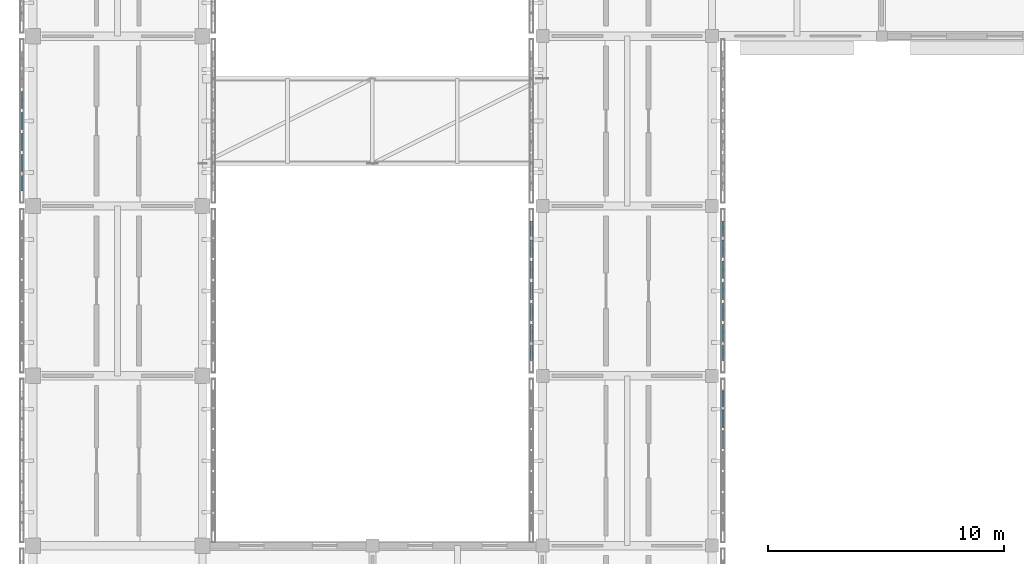
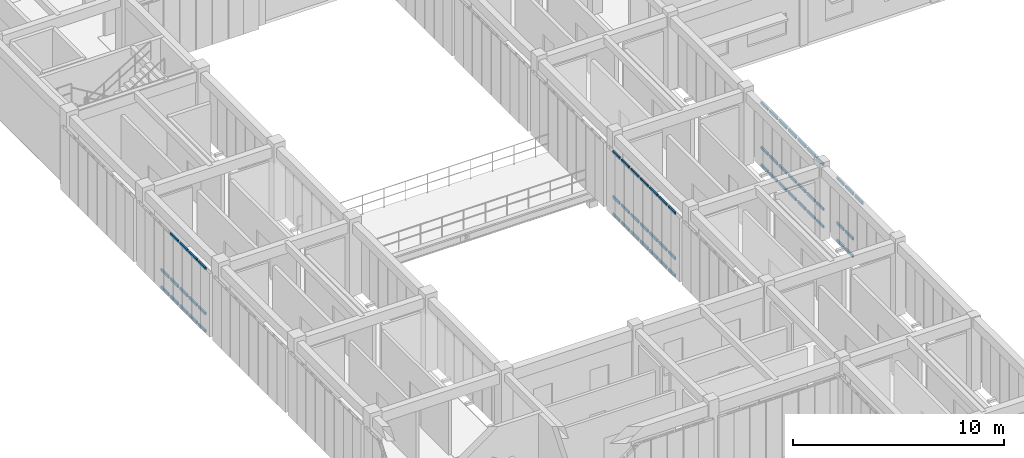
# One storey, part 27 of 91: 63 members, 4 elements without a shape of their own.
"""IFC4 building model written with IfcOpenShell, lengths in metres."""

from ifc_helpers import new_model, si_unit, direction, frame, origin, origin_2d, place, context, subcontext, project, spatial, hollow_rectangle, extrude, material, material_profile, profile_set, type_object, element, aggregate, save


model = new_model("IFC4")

# Units and contexts
model_context = context("Model", 3, precision=1e-05, world=origin(), true_north=direction((0.0, 1.0)))
body_context = subcontext(model_context, "Body", "Model", "MODEL_VIEW")
ifc_project = project(units=[si_unit("LENGTHUNIT", "METRE"), si_unit("AREAUNIT", "SQUARE_METRE"), si_unit("VOLUMEUNIT", "CUBIC_METRE"), si_unit("PLANEANGLEUNIT", "RADIAN"), si_unit("MASSUNIT", "GRAM", prefix="KILO")], contexts=[model_context])

# Site, building, storey
site_placement = place(None, origin())
site = spatial("IfcSite", under=ifc_project, at=site_placement, CompositionType="ELEMENT")
building_placement = place(site_placement, origin())
building = spatial("IfcBuilding", under=site, at=building_placement, Name="Aldebral Square Health Centre", CompositionType="ELEMENT")
storey_placement = place(building_placement, frame((0.0, 0.0, 9.0)))
storey = spatial("IfcBuildingStorey", under=building, at=storey_placement, Name="L02", CompositionType="ELEMENT", Elevation=9.0)

# Curtain wall, members
ifc_material_1 = material(Name="Aluminium and low-E solar glass", Category="aluminium")
curtain_wall_type = type_object("IfcCurtainWallType", Name="CW-FIN-SYS", PredefinedType="USERDEFINED", material=ifc_material_1)
curtain_wall_1_placement = place(storey_placement, origin())
curtain_wall_1 = element("IfcCurtainWall", 1, at=curtain_wall_1_placement, inside=storey, type_object=curtain_wall_type, Name="L02 V4 finned curtain wall L02-V4-00-11-W", ObjectType="SOLAR_CURTAIN_WALL", PredefinedType="USERDEFINED")
ifc_material_2 = material(Name="Anodised aluminium transom", Category="aluminium")
ifc_material_profile = material_profile(ifc_material_2, hollow_rectangle(XDim=0.074951171875, YDim=0.14990234375, WallThickness=0.00390625, at=origin_2d()), Name="CWT 75x150x4")
ifc_profile_set = profile_set([ifc_material_profile], Name="Anodised aluminium transom")
member_type = type_object("IfcMemberType", Name="CWT-STD", PredefinedType="USERDEFINED", material=ifc_profile_set)
member_1_placement = place(storey_placement, frame((-0.4599609375, 84.05712890625, 0.03759765625), z_axis=(0.0, -1.0, 0.0), x_axis=(1.0, 0.0, 0.0)))
member_1 = element("IfcMember", 2, at=member_1_placement, type_object=member_type, Name="CW1 transom 3.1", ObjectType="TRANSOM", PredefinedType="USERDEFINED", context=body_context, shape_type="SweptSolid", body=[
    extrude(hollow_rectangle(XDim=0.074951171875, YDim=0.14990234375, WallThickness=0.00390625, at=origin_2d()), origin(), (0.0, 0.0, 1.0), 0.7314453125),
])
member_2_placement = place(storey_placement, frame((-0.4599609375, 84.05712890625, 1.050048828125), z_axis=(0.0, -1.0, 0.0), x_axis=(1.0, 0.0, 0.0)))
member_2 = element("IfcMember", 3, at=member_2_placement, type_object=member_type, Name="CW1 transom 3.2", ObjectType="TRANSOM", PredefinedType="USERDEFINED", context=body_context, shape_type="SweptSolid", body=[
    extrude(hollow_rectangle(XDim=0.074951171875, YDim=0.14990234375, WallThickness=0.00390625, at=origin_2d()), origin(), (0.0, 0.0, 1.0), 0.7314453125),
])
member_3_placement = place(storey_placement, frame((-0.4599609375, 83.165771484375, 0.03759765625), z_axis=(0.0, -1.0, 0.0), x_axis=(1.0, 0.0, 0.0)))
member_3 = element("IfcMember", 4, at=member_3_placement, type_object=member_type, Name="CW1 transom 4.1", ObjectType="TRANSOM", PredefinedType="USERDEFINED", context=body_context, shape_type="SweptSolid", body=[
    extrude(hollow_rectangle(XDim=0.074951171875, YDim=0.14990234375, WallThickness=0.00390625, at=origin_2d()), origin(), (0.0, 0.0, 1.0), 0.7314453125),
])
member_4_placement = place(storey_placement, frame((-0.4599609375, 83.165771484375, 1.050048828125), z_axis=(0.0, -1.0, 0.0), x_axis=(1.0, 0.0, 0.0)))
member_4 = element("IfcMember", 5, at=member_4_placement, type_object=member_type, Name="CW1 transom 4.2", ObjectType="TRANSOM", PredefinedType="USERDEFINED", context=body_context, shape_type="SweptSolid", body=[
    extrude(hollow_rectangle(XDim=0.074951171875, YDim=0.14990234375, WallThickness=0.00390625, at=origin_2d()), origin(), (0.0, 0.0, 1.0), 0.7314453125),
])
member_5_placement = place(storey_placement, frame((-0.4599609375, 83.165771484375, 3.652587890625), z_axis=(0.0, -1.0, 0.0), x_axis=(1.0, 0.0, 0.0)))
member_5 = element("IfcMember", 6, at=member_5_placement, type_object=member_type, Name="CW1 transom 4.3", ObjectType="TRANSOM", PredefinedType="USERDEFINED", context=body_context, shape_type="SweptSolid", body=[
    extrude(hollow_rectangle(XDim=0.074951171875, YDim=0.14990234375, WallThickness=0.00390625, at=origin_2d()), origin(), (0.0, 0.0, 1.0), 0.7314453125),
])
member_6_placement = place(storey_placement, frame((-0.4599609375, 82.274169921875, 0.03759765625), z_axis=(0.0, -1.0, 0.0), x_axis=(1.0, 0.0, 0.0)))
member_6 = element("IfcMember", 7, at=member_6_placement, type_object=member_type, Name="CW1 transom 5.1", ObjectType="TRANSOM", PredefinedType="USERDEFINED", context=body_context, shape_type="SweptSolid", body=[
    extrude(hollow_rectangle(XDim=0.074951171875, YDim=0.14990234375, WallThickness=0.00390625, at=origin_2d()), origin(), (0.0, 0.0, 1.0), 0.731201171875),
])
member_7_placement = place(storey_placement, frame((-0.4599609375, 82.274169921875, 1.050048828125), z_axis=(0.0, -1.0, 0.0), x_axis=(1.0, 0.0, 0.0)))
member_7 = element("IfcMember", 8, at=member_7_placement, type_object=member_type, Name="CW1 transom 5.2", ObjectType="TRANSOM", PredefinedType="USERDEFINED", context=body_context, shape_type="SweptSolid", body=[
    extrude(hollow_rectangle(XDim=0.074951171875, YDim=0.14990234375, WallThickness=0.00390625, at=origin_2d()), origin(), (0.0, 0.0, 1.0), 0.731201171875),
])
member_8_placement = place(storey_placement, frame((-0.4599609375, 82.274169921875, 3.652587890625), z_axis=(0.0, -1.0, 0.0), x_axis=(1.0, 0.0, 0.0)))
member_8 = element("IfcMember", 9, at=member_8_placement, type_object=member_type, Name="CW1 transom 5.3", ObjectType="TRANSOM", PredefinedType="USERDEFINED", context=body_context, shape_type="SweptSolid", body=[
    extrude(hollow_rectangle(XDim=0.074951171875, YDim=0.14990234375, WallThickness=0.00390625, at=origin_2d()), origin(), (0.0, 0.0, 1.0), 0.731201171875),
])
member_9_placement = place(storey_placement, frame((-0.4599609375, 81.3828125, 0.03759765625), z_axis=(0.0, -1.0, 0.0), x_axis=(1.0, 0.0, 0.0)))
member_9 = element("IfcMember", 10, at=member_9_placement, type_object=member_type, Name="CW1 transom 6.1", ObjectType="TRANSOM", PredefinedType="USERDEFINED", context=body_context, shape_type="SweptSolid", body=[
    extrude(hollow_rectangle(XDim=0.074951171875, YDim=0.14990234375, WallThickness=0.00390625, at=origin_2d()), origin(), (0.0, 0.0, 1.0), 0.7314453125),
])
member_10_placement = place(storey_placement, frame((-0.4599609375, 81.3828125, 1.050048828125), z_axis=(0.0, -1.0, 0.0), x_axis=(1.0, 0.0, 0.0)))
member_10 = element("IfcMember", 11, at=member_10_placement, type_object=member_type, Name="CW1 transom 6.2", ObjectType="TRANSOM", PredefinedType="USERDEFINED", context=body_context, shape_type="SweptSolid", body=[
    extrude(hollow_rectangle(XDim=0.074951171875, YDim=0.14990234375, WallThickness=0.00390625, at=origin_2d()), origin(), (0.0, 0.0, 1.0), 0.7314453125),
])
member_11_placement = place(storey_placement, frame((-0.4599609375, 81.3828125, 3.652587890625), z_axis=(0.0, -1.0, 0.0), x_axis=(1.0, 0.0, 0.0)))
member_11 = element("IfcMember", 12, at=member_11_placement, type_object=member_type, Name="CW1 transom 6.3", ObjectType="TRANSOM", PredefinedType="USERDEFINED", context=body_context, shape_type="SweptSolid", body=[
    extrude(hollow_rectangle(XDim=0.074951171875, YDim=0.14990234375, WallThickness=0.00390625, at=origin_2d()), origin(), (0.0, 0.0, 1.0), 0.7314453125),
])
member_12_placement = place(storey_placement, frame((-0.4599609375, 80.491455078125, 0.03759765625), z_axis=(0.0, -1.0, 0.0), x_axis=(1.0, 0.0, 0.0)))
member_12 = element("IfcMember", 13, at=member_12_placement, type_object=member_type, Name="CW1 transom 7.1", ObjectType="TRANSOM", PredefinedType="USERDEFINED", context=body_context, shape_type="SweptSolid", body=[
    extrude(hollow_rectangle(XDim=0.074951171875, YDim=0.14990234375, WallThickness=0.00390625, at=origin_2d()), origin(), (0.0, 0.0, 1.0), 0.6513671875),
])
member_13_placement = place(storey_placement, frame((-0.4599609375, 80.491455078125, 1.050048828125), z_axis=(0.0, -1.0, 0.0), x_axis=(1.0, 0.0, 0.0)))
member_13 = element("IfcMember", 14, at=member_13_placement, type_object=member_type, Name="CW1 transom 7.2", ObjectType="TRANSOM", PredefinedType="USERDEFINED", context=body_context, shape_type="SweptSolid", body=[
    extrude(hollow_rectangle(XDim=0.074951171875, YDim=0.14990234375, WallThickness=0.00390625, at=origin_2d()), origin(), (0.0, 0.0, 1.0), 0.6513671875),
])
member_14_placement = place(storey_placement, frame((-0.4599609375, 80.491455078125, 3.652587890625), z_axis=(0.0, -1.0, 0.0), x_axis=(1.0, 0.0, 0.0)))
member_14 = element("IfcMember", 15, at=member_14_placement, type_object=member_type, Name="CW1 transom 7.3", ObjectType="TRANSOM", PredefinedType="USERDEFINED", context=body_context, shape_type="SweptSolid", body=[
    extrude(hollow_rectangle(XDim=0.074951171875, YDim=0.14990234375, WallThickness=0.00390625, at=origin_2d()), origin(), (0.0, 0.0, 1.0), 0.6513671875),
])
aggregate(curtain_wall_1, [member_1, member_2, member_3, member_4, member_5, member_6, member_7, member_8, member_9, member_10, member_11, member_12, member_13, member_14])

curtain_wall_2_placement = place(storey_placement, origin())
curtain_wall_2 = element("IfcCurtainWall", 16, at=curtain_wall_2_placement, inside=storey, type_object=curtain_wall_type, Name="L02 V4 finned curtain wall L02-V4-03-09-E", ObjectType="SOLAR_CURTAIN_WALL", PredefinedType="USERDEFINED")
member_15_placement = place(storey_placement, frame((29.260009765625, 68.92578125, 3.652587890625), z_axis=(0.0, 1.0, 0.0), x_axis=(-1.0, 0.0, 0.0)))
member_15 = element("IfcMember", 17, at=member_15_placement, type_object=member_type, Name="CW1 transom 5.3", ObjectType="TRANSOM", PredefinedType="USERDEFINED", context=body_context, shape_type="SweptSolid", body=[
    extrude(hollow_rectangle(XDim=0.074951171875, YDim=0.14990234375, WallThickness=0.00390625, at=origin_2d()), origin(), (0.0, 0.0, 1.0), 0.7314453125),
])
member_16_placement = place(storey_placement, frame((29.260009765625, 69.817138671875, 0.03759765625), z_axis=(0.0, 1.0, 0.0), x_axis=(-1.0, 0.0, 0.0)))
member_16 = element("IfcMember", 18, at=member_16_placement, type_object=member_type, Name="CW1 transom 6.1", ObjectType="TRANSOM", PredefinedType="USERDEFINED", context=body_context, shape_type="SweptSolid", body=[
    extrude(hollow_rectangle(XDim=0.074951171875, YDim=0.14990234375, WallThickness=0.00390625, at=origin_2d()), origin(), (0.0, 0.0, 1.0), 0.7314453125),
])
member_17_placement = place(storey_placement, frame((29.260009765625, 69.817138671875, 1.050048828125), z_axis=(0.0, 1.0, 0.0), x_axis=(-1.0, 0.0, 0.0)))
member_17 = element("IfcMember", 19, at=member_17_placement, type_object=member_type, Name="CW1 transom 6.2", ObjectType="TRANSOM", PredefinedType="USERDEFINED", context=body_context, shape_type="SweptSolid", body=[
    extrude(hollow_rectangle(XDim=0.074951171875, YDim=0.14990234375, WallThickness=0.00390625, at=origin_2d()), origin(), (0.0, 0.0, 1.0), 0.7314453125),
])
member_18_placement = place(storey_placement, frame((29.260009765625, 69.817138671875, 3.652587890625), z_axis=(0.0, 1.0, 0.0), x_axis=(-1.0, 0.0, 0.0)))
member_18 = element("IfcMember", 20, at=member_18_placement, type_object=member_type, Name="CW1 transom 6.3", ObjectType="TRANSOM", PredefinedType="USERDEFINED", context=body_context, shape_type="SweptSolid", body=[
    extrude(hollow_rectangle(XDim=0.074951171875, YDim=0.14990234375, WallThickness=0.00390625, at=origin_2d()), origin(), (0.0, 0.0, 1.0), 0.7314453125),
])
member_19_placement = place(storey_placement, frame((29.260009765625, 70.70849609375, 0.03759765625), z_axis=(0.0, 1.0, 0.0), x_axis=(-1.0, 0.0, 0.0)))
member_19 = element("IfcMember", 21, at=member_19_placement, type_object=member_type, Name="CW1 transom 7.1", ObjectType="TRANSOM", PredefinedType="USERDEFINED", context=body_context, shape_type="SweptSolid", body=[
    extrude(hollow_rectangle(XDim=0.074951171875, YDim=0.14990234375, WallThickness=0.00390625, at=origin_2d()), origin(), (0.0, 0.0, 1.0), 0.651611328125),
])
member_20_placement = place(storey_placement, frame((29.260009765625, 70.70849609375, 1.050048828125), z_axis=(0.0, 1.0, 0.0), x_axis=(-1.0, 0.0, 0.0)))
member_20 = element("IfcMember", 22, at=member_20_placement, type_object=member_type, Name="CW1 transom 7.2", ObjectType="TRANSOM", PredefinedType="USERDEFINED", context=body_context, shape_type="SweptSolid", body=[
    extrude(hollow_rectangle(XDim=0.074951171875, YDim=0.14990234375, WallThickness=0.00390625, at=origin_2d()), origin(), (0.0, 0.0, 1.0), 0.651611328125),
])
member_21_placement = place(storey_placement, frame((29.260009765625, 70.70849609375, 3.652587890625), z_axis=(0.0, 1.0, 0.0), x_axis=(-1.0, 0.0, 0.0)))
member_21 = element("IfcMember", 23, at=member_21_placement, type_object=member_type, Name="CW1 transom 7.3", ObjectType="TRANSOM", PredefinedType="USERDEFINED", context=body_context, shape_type="SweptSolid", body=[
    extrude(hollow_rectangle(XDim=0.074951171875, YDim=0.14990234375, WallThickness=0.00390625, at=origin_2d()), origin(), (0.0, 0.0, 1.0), 0.651611328125),
])
aggregate(curtain_wall_2, [member_15, member_16, member_17, member_18, member_19, member_20, member_21])

curtain_wall_3_placement = place(storey_placement, origin())
curtain_wall_3 = element("IfcCurtainWall", 24, at=curtain_wall_3_placement, inside=storey, type_object=curtain_wall_type, Name="L02 V4 finned curtain wall L02-V4-03-10-W", ObjectType="SOLAR_CURTAIN_WALL", PredefinedType="USERDEFINED")
member_22_placement = place(storey_placement, frame((21.139892578125, 78.56005859375, 0.03759765625), z_axis=(0.0, -1.0, 0.0), x_axis=(1.0, 0.0, 0.0)))
member_22 = element("IfcMember", 25, at=member_22_placement, type_object=member_type, Name="CW1 transom 1.1", ObjectType="TRANSOM", PredefinedType="USERDEFINED", context=body_context, shape_type="SweptSolid", body=[
    extrude(hollow_rectangle(XDim=0.074951171875, YDim=0.14990234375, WallThickness=0.00390625, at=origin_2d()), origin(), (0.0, 0.0, 1.0), 0.6513671875),
])
member_23_placement = place(storey_placement, frame((21.139892578125, 78.56005859375, 1.050048828125), z_axis=(0.0, -1.0, 0.0), x_axis=(1.0, 0.0, 0.0)))
member_23 = element("IfcMember", 26, at=member_23_placement, type_object=member_type, Name="CW1 transom 1.2", ObjectType="TRANSOM", PredefinedType="USERDEFINED", context=body_context, shape_type="SweptSolid", body=[
    extrude(hollow_rectangle(XDim=0.074951171875, YDim=0.14990234375, WallThickness=0.00390625, at=origin_2d()), origin(), (0.0, 0.0, 1.0), 0.6513671875),
])
member_24_placement = place(storey_placement, frame((21.139892578125, 78.56005859375, 3.652587890625), z_axis=(0.0, -1.0, 0.0), x_axis=(1.0, 0.0, 0.0)))
member_24 = element("IfcMember", 27, at=member_24_placement, type_object=member_type, Name="CW1 transom 1.3", ObjectType="TRANSOM", PredefinedType="USERDEFINED", context=body_context, shape_type="SweptSolid", body=[
    extrude(hollow_rectangle(XDim=0.074951171875, YDim=0.14990234375, WallThickness=0.00390625, at=origin_2d()), origin(), (0.0, 0.0, 1.0), 0.6513671875),
])
member_25_placement = place(storey_placement, frame((21.139892578125, 77.74853515625, 0.03759765625), z_axis=(0.0, -1.0, 0.0), x_axis=(1.0, 0.0, 0.0)))
member_25 = element("IfcMember", 28, at=member_25_placement, type_object=member_type, Name="CW1 transom 2.1", ObjectType="TRANSOM", PredefinedType="USERDEFINED", context=body_context, shape_type="SweptSolid", body=[
    extrude(hollow_rectangle(XDim=0.074951171875, YDim=0.14990234375, WallThickness=0.00390625, at=origin_2d()), origin(), (0.0, 0.0, 1.0), 0.7314453125),
])
member_26_placement = place(storey_placement, frame((21.139892578125, 77.74853515625, 1.050048828125), z_axis=(0.0, -1.0, 0.0), x_axis=(1.0, 0.0, 0.0)))
member_26 = element("IfcMember", 29, at=member_26_placement, type_object=member_type, Name="CW1 transom 2.2", ObjectType="TRANSOM", PredefinedType="USERDEFINED", context=body_context, shape_type="SweptSolid", body=[
    extrude(hollow_rectangle(XDim=0.074951171875, YDim=0.14990234375, WallThickness=0.00390625, at=origin_2d()), origin(), (0.0, 0.0, 1.0), 0.7314453125),
])
member_27_placement = place(storey_placement, frame((21.139892578125, 77.74853515625, 3.652587890625), z_axis=(0.0, -1.0, 0.0), x_axis=(1.0, 0.0, 0.0)))
member_27 = element("IfcMember", 30, at=member_27_placement, type_object=member_type, Name="CW1 transom 2.3", ObjectType="TRANSOM", PredefinedType="USERDEFINED", context=body_context, shape_type="SweptSolid", body=[
    extrude(hollow_rectangle(XDim=0.074951171875, YDim=0.14990234375, WallThickness=0.00390625, at=origin_2d()), origin(), (0.0, 0.0, 1.0), 0.7314453125),
])
member_28_placement = place(storey_placement, frame((21.139892578125, 76.857177734375, 0.03759765625), z_axis=(0.0, -1.0, 0.0), x_axis=(1.0, 0.0, 0.0)))
member_28 = element("IfcMember", 31, at=member_28_placement, type_object=member_type, Name="CW1 transom 3.1", ObjectType="TRANSOM", PredefinedType="USERDEFINED", context=body_context, shape_type="SweptSolid", body=[
    extrude(hollow_rectangle(XDim=0.074951171875, YDim=0.14990234375, WallThickness=0.00390625, at=origin_2d()), origin(), (0.0, 0.0, 1.0), 0.7314453125),
])
member_29_placement = place(storey_placement, frame((21.139892578125, 76.857177734375, 1.050048828125), z_axis=(0.0, -1.0, 0.0), x_axis=(1.0, 0.0, 0.0)))
member_29 = element("IfcMember", 32, at=member_29_placement, type_object=member_type, Name="CW1 transom 3.2", ObjectType="TRANSOM", PredefinedType="USERDEFINED", context=body_context, shape_type="SweptSolid", body=[
    extrude(hollow_rectangle(XDim=0.074951171875, YDim=0.14990234375, WallThickness=0.00390625, at=origin_2d()), origin(), (0.0, 0.0, 1.0), 0.7314453125),
])
member_30_placement = place(storey_placement, frame((21.139892578125, 76.857177734375, 3.652587890625), z_axis=(0.0, -1.0, 0.0), x_axis=(1.0, 0.0, 0.0)))
member_30 = element("IfcMember", 33, at=member_30_placement, type_object=member_type, Name="CW1 transom 3.3", ObjectType="TRANSOM", PredefinedType="USERDEFINED", context=body_context, shape_type="SweptSolid", body=[
    extrude(hollow_rectangle(XDim=0.074951171875, YDim=0.14990234375, WallThickness=0.00390625, at=origin_2d()), origin(), (0.0, 0.0, 1.0), 0.7314453125),
])
member_31_placement = place(storey_placement, frame((21.139892578125, 75.9658203125, 0.03759765625), z_axis=(0.0, -1.0, 0.0), x_axis=(1.0, 0.0, 0.0)))
member_31 = element("IfcMember", 34, at=member_31_placement, type_object=member_type, Name="CW1 transom 4.1", ObjectType="TRANSOM", PredefinedType="USERDEFINED", context=body_context, shape_type="SweptSolid", body=[
    extrude(hollow_rectangle(XDim=0.074951171875, YDim=0.14990234375, WallThickness=0.00390625, at=origin_2d()), origin(), (0.0, 0.0, 1.0), 0.7314453125),
])
member_32_placement = place(storey_placement, frame((21.139892578125, 75.9658203125, 1.050048828125), z_axis=(0.0, -1.0, 0.0), x_axis=(1.0, 0.0, 0.0)))
member_32 = element("IfcMember", 35, at=member_32_placement, type_object=member_type, Name="CW1 transom 4.2", ObjectType="TRANSOM", PredefinedType="USERDEFINED", context=body_context, shape_type="SweptSolid", body=[
    extrude(hollow_rectangle(XDim=0.074951171875, YDim=0.14990234375, WallThickness=0.00390625, at=origin_2d()), origin(), (0.0, 0.0, 1.0), 0.7314453125),
])
member_33_placement = place(storey_placement, frame((21.139892578125, 75.9658203125, 3.652587890625), z_axis=(0.0, -1.0, 0.0), x_axis=(1.0, 0.0, 0.0)))
member_33 = element("IfcMember", 36, at=member_33_placement, type_object=member_type, Name="CW1 transom 4.3", ObjectType="TRANSOM", PredefinedType="USERDEFINED", context=body_context, shape_type="SweptSolid", body=[
    extrude(hollow_rectangle(XDim=0.074951171875, YDim=0.14990234375, WallThickness=0.00390625, at=origin_2d()), origin(), (0.0, 0.0, 1.0), 0.7314453125),
])
member_34_placement = place(storey_placement, frame((21.139892578125, 75.07421875, 0.03759765625), z_axis=(0.0, -1.0, 0.0), x_axis=(1.0, 0.0, 0.0)))
member_34 = element("IfcMember", 37, at=member_34_placement, type_object=member_type, Name="CW1 transom 5.1", ObjectType="TRANSOM", PredefinedType="USERDEFINED", context=body_context, shape_type="SweptSolid", body=[
    extrude(hollow_rectangle(XDim=0.074951171875, YDim=0.14990234375, WallThickness=0.00390625, at=origin_2d()), origin(), (0.0, 0.0, 1.0), 0.7314453125),
])
member_35_placement = place(storey_placement, frame((21.139892578125, 75.07421875, 1.050048828125), z_axis=(0.0, -1.0, 0.0), x_axis=(1.0, 0.0, 0.0)))
member_35 = element("IfcMember", 38, at=member_35_placement, type_object=member_type, Name="CW1 transom 5.2", ObjectType="TRANSOM", PredefinedType="USERDEFINED", context=body_context, shape_type="SweptSolid", body=[
    extrude(hollow_rectangle(XDim=0.074951171875, YDim=0.14990234375, WallThickness=0.00390625, at=origin_2d()), origin(), (0.0, 0.0, 1.0), 0.7314453125),
])
member_36_placement = place(storey_placement, frame((21.139892578125, 75.07421875, 3.652587890625), z_axis=(0.0, -1.0, 0.0), x_axis=(1.0, 0.0, 0.0)))
member_36 = element("IfcMember", 39, at=member_36_placement, type_object=member_type, Name="CW1 transom 5.3", ObjectType="TRANSOM", PredefinedType="USERDEFINED", context=body_context, shape_type="SweptSolid", body=[
    extrude(hollow_rectangle(XDim=0.074951171875, YDim=0.14990234375, WallThickness=0.00390625, at=origin_2d()), origin(), (0.0, 0.0, 1.0), 0.7314453125),
])
member_37_placement = place(storey_placement, frame((21.139892578125, 74.182861328125, 0.03759765625), z_axis=(0.0, -1.0, 0.0), x_axis=(1.0, 0.0, 0.0)))
member_37 = element("IfcMember", 40, at=member_37_placement, type_object=member_type, Name="CW1 transom 6.1", ObjectType="TRANSOM", PredefinedType="USERDEFINED", context=body_context, shape_type="SweptSolid", body=[
    extrude(hollow_rectangle(XDim=0.074951171875, YDim=0.14990234375, WallThickness=0.00390625, at=origin_2d()), origin(), (0.0, 0.0, 1.0), 0.7314453125),
])
member_38_placement = place(storey_placement, frame((21.139892578125, 74.182861328125, 1.050048828125), z_axis=(0.0, -1.0, 0.0), x_axis=(1.0, 0.0, 0.0)))
member_38 = element("IfcMember", 41, at=member_38_placement, type_object=member_type, Name="CW1 transom 6.2", ObjectType="TRANSOM", PredefinedType="USERDEFINED", context=body_context, shape_type="SweptSolid", body=[
    extrude(hollow_rectangle(XDim=0.074951171875, YDim=0.14990234375, WallThickness=0.00390625, at=origin_2d()), origin(), (0.0, 0.0, 1.0), 0.7314453125),
])
member_39_placement = place(storey_placement, frame((21.139892578125, 74.182861328125, 3.652587890625), z_axis=(0.0, -1.0, 0.0), x_axis=(1.0, 0.0, 0.0)))
member_39 = element("IfcMember", 42, at=member_39_placement, type_object=member_type, Name="CW1 transom 6.3", ObjectType="TRANSOM", PredefinedType="USERDEFINED", context=body_context, shape_type="SweptSolid", body=[
    extrude(hollow_rectangle(XDim=0.074951171875, YDim=0.14990234375, WallThickness=0.00390625, at=origin_2d()), origin(), (0.0, 0.0, 1.0), 0.7314453125),
])
member_40_placement = place(storey_placement, frame((21.139892578125, 73.29150390625, 0.03759765625), z_axis=(0.0, -1.0, 0.0), x_axis=(1.0, 0.0, 0.0)))
member_40 = element("IfcMember", 43, at=member_40_placement, type_object=member_type, Name="CW1 transom 7.1", ObjectType="TRANSOM", PredefinedType="USERDEFINED", context=body_context, shape_type="SweptSolid", body=[
    extrude(hollow_rectangle(XDim=0.074951171875, YDim=0.14990234375, WallThickness=0.00390625, at=origin_2d()), origin(), (0.0, 0.0, 1.0), 0.651611328125),
])
member_41_placement = place(storey_placement, frame((21.139892578125, 73.29150390625, 1.050048828125), z_axis=(0.0, -1.0, 0.0), x_axis=(1.0, 0.0, 0.0)))
member_41 = element("IfcMember", 44, at=member_41_placement, type_object=member_type, Name="CW1 transom 7.2", ObjectType="TRANSOM", PredefinedType="USERDEFINED", context=body_context, shape_type="SweptSolid", body=[
    extrude(hollow_rectangle(XDim=0.074951171875, YDim=0.14990234375, WallThickness=0.00390625, at=origin_2d()), origin(), (0.0, 0.0, 1.0), 0.651611328125),
])
member_42_placement = place(storey_placement, frame((21.139892578125, 73.29150390625, 3.652587890625), z_axis=(0.0, -1.0, 0.0), x_axis=(1.0, 0.0, 0.0)))
member_42 = element("IfcMember", 45, at=member_42_placement, type_object=member_type, Name="CW1 transom 7.3", ObjectType="TRANSOM", PredefinedType="USERDEFINED", context=body_context, shape_type="SweptSolid", body=[
    extrude(hollow_rectangle(XDim=0.074951171875, YDim=0.14990234375, WallThickness=0.00390625, at=origin_2d()), origin(), (0.0, 0.0, 1.0), 0.651611328125),
])
aggregate(curtain_wall_3, [member_22, member_23, member_24, member_25, member_26, member_27, member_28, member_29, member_30, member_31, member_32, member_33, member_34, member_35, member_36, member_37, member_38, member_39, member_40, member_41, member_42])

curtain_wall_4_placement = place(storey_placement, origin())
curtain_wall_4 = element("IfcCurtainWall", 46, at=curtain_wall_4_placement, inside=storey, type_object=curtain_wall_type, Name="L02 V4 finned curtain wall L02-V4-03-10-E", ObjectType="SOLAR_CURTAIN_WALL", PredefinedType="USERDEFINED")
member_43_placement = place(storey_placement, frame((29.260009765625, 72.639892578125, 0.03759765625), z_axis=(0.0, 1.0, 0.0), x_axis=(-1.0, 0.0, 0.0)))
member_43 = element("IfcMember", 47, at=member_43_placement, type_object=member_type, Name="CW1 transom 1.1", ObjectType="TRANSOM", PredefinedType="USERDEFINED", context=body_context, shape_type="SweptSolid", body=[
    extrude(hollow_rectangle(XDim=0.074951171875, YDim=0.14990234375, WallThickness=0.00390625, at=origin_2d()), origin(), (0.0, 0.0, 1.0), 0.651611328125),
])
member_44_placement = place(storey_placement, frame((29.260009765625, 72.639892578125, 1.050048828125), z_axis=(0.0, 1.0, 0.0), x_axis=(-1.0, 0.0, 0.0)))
member_44 = element("IfcMember", 48, at=member_44_placement, type_object=member_type, Name="CW1 transom 1.2", ObjectType="TRANSOM", PredefinedType="USERDEFINED", context=body_context, shape_type="SweptSolid", body=[
    extrude(hollow_rectangle(XDim=0.074951171875, YDim=0.14990234375, WallThickness=0.00390625, at=origin_2d()), origin(), (0.0, 0.0, 1.0), 0.651611328125),
])
member_45_placement = place(storey_placement, frame((29.260009765625, 72.639892578125, 3.652587890625), z_axis=(0.0, 1.0, 0.0), x_axis=(-1.0, 0.0, 0.0)))
member_45 = element("IfcMember", 49, at=member_45_placement, type_object=member_type, Name="CW1 transom 1.3", ObjectType="TRANSOM", PredefinedType="USERDEFINED", context=body_context, shape_type="SweptSolid", body=[
    extrude(hollow_rectangle(XDim=0.074951171875, YDim=0.14990234375, WallThickness=0.00390625, at=origin_2d()), origin(), (0.0, 0.0, 1.0), 0.651611328125),
])
member_46_placement = place(storey_placement, frame((29.260009765625, 73.451416015625, 0.03759765625), z_axis=(0.0, 1.0, 0.0), x_axis=(-1.0, 0.0, 0.0)))
member_46 = element("IfcMember", 50, at=member_46_placement, type_object=member_type, Name="CW1 transom 2.1", ObjectType="TRANSOM", PredefinedType="USERDEFINED", context=body_context, shape_type="SweptSolid", body=[
    extrude(hollow_rectangle(XDim=0.074951171875, YDim=0.14990234375, WallThickness=0.00390625, at=origin_2d()), origin(), (0.0, 0.0, 1.0), 0.7314453125),
])
member_47_placement = place(storey_placement, frame((29.260009765625, 73.451416015625, 1.050048828125), z_axis=(0.0, 1.0, 0.0), x_axis=(-1.0, 0.0, 0.0)))
member_47 = element("IfcMember", 51, at=member_47_placement, type_object=member_type, Name="CW1 transom 2.2", ObjectType="TRANSOM", PredefinedType="USERDEFINED", context=body_context, shape_type="SweptSolid", body=[
    extrude(hollow_rectangle(XDim=0.074951171875, YDim=0.14990234375, WallThickness=0.00390625, at=origin_2d()), origin(), (0.0, 0.0, 1.0), 0.7314453125),
])
member_48_placement = place(storey_placement, frame((29.260009765625, 73.451416015625, 3.652587890625), z_axis=(0.0, 1.0, 0.0), x_axis=(-1.0, 0.0, 0.0)))
member_48 = element("IfcMember", 52, at=member_48_placement, type_object=member_type, Name="CW1 transom 2.3", ObjectType="TRANSOM", PredefinedType="USERDEFINED", context=body_context, shape_type="SweptSolid", body=[
    extrude(hollow_rectangle(XDim=0.074951171875, YDim=0.14990234375, WallThickness=0.00390625, at=origin_2d()), origin(), (0.0, 0.0, 1.0), 0.7314453125),
])
member_49_placement = place(storey_placement, frame((29.260009765625, 74.3427734375, 0.03759765625), z_axis=(0.0, 1.0, 0.0), x_axis=(-1.0, 0.0, 0.0)))
member_49 = element("IfcMember", 53, at=member_49_placement, type_object=member_type, Name="CW1 transom 3.1", ObjectType="TRANSOM", PredefinedType="USERDEFINED", context=body_context, shape_type="SweptSolid", body=[
    extrude(hollow_rectangle(XDim=0.074951171875, YDim=0.14990234375, WallThickness=0.00390625, at=origin_2d()), origin(), (0.0, 0.0, 1.0), 0.7314453125),
])
member_50_placement = place(storey_placement, frame((29.260009765625, 74.3427734375, 1.050048828125), z_axis=(0.0, 1.0, 0.0), x_axis=(-1.0, 0.0, 0.0)))
member_50 = element("IfcMember", 54, at=member_50_placement, type_object=member_type, Name="CW1 transom 3.2", ObjectType="TRANSOM", PredefinedType="USERDEFINED", context=body_context, shape_type="SweptSolid", body=[
    extrude(hollow_rectangle(XDim=0.074951171875, YDim=0.14990234375, WallThickness=0.00390625, at=origin_2d()), origin(), (0.0, 0.0, 1.0), 0.7314453125),
])
member_51_placement = place(storey_placement, frame((29.260009765625, 74.3427734375, 3.652587890625), z_axis=(0.0, 1.0, 0.0), x_axis=(-1.0, 0.0, 0.0)))
member_51 = element("IfcMember", 55, at=member_51_placement, type_object=member_type, Name="CW1 transom 3.3", ObjectType="TRANSOM", PredefinedType="USERDEFINED", context=body_context, shape_type="SweptSolid", body=[
    extrude(hollow_rectangle(XDim=0.074951171875, YDim=0.14990234375, WallThickness=0.00390625, at=origin_2d()), origin(), (0.0, 0.0, 1.0), 0.7314453125),
])
member_52_placement = place(storey_placement, frame((29.260009765625, 75.234375, 0.03759765625), z_axis=(0.0, 1.0, 0.0), x_axis=(-1.0, 0.0, 0.0)))
member_52 = element("IfcMember", 56, at=member_52_placement, type_object=member_type, Name="CW1 transom 4.1", ObjectType="TRANSOM", PredefinedType="USERDEFINED", context=body_context, shape_type="SweptSolid", body=[
    extrude(hollow_rectangle(XDim=0.074951171875, YDim=0.14990234375, WallThickness=0.00390625, at=origin_2d()), origin(), (0.0, 0.0, 1.0), 0.7314453125),
])
member_53_placement = place(storey_placement, frame((29.260009765625, 75.234375, 1.050048828125), z_axis=(0.0, 1.0, 0.0), x_axis=(-1.0, 0.0, 0.0)))
member_53 = element("IfcMember", 57, at=member_53_placement, type_object=member_type, Name="CW1 transom 4.2", ObjectType="TRANSOM", PredefinedType="USERDEFINED", context=body_context, shape_type="SweptSolid", body=[
    extrude(hollow_rectangle(XDim=0.074951171875, YDim=0.14990234375, WallThickness=0.00390625, at=origin_2d()), origin(), (0.0, 0.0, 1.0), 0.7314453125),
])
member_54_placement = place(storey_placement, frame((29.260009765625, 75.234375, 3.652587890625), z_axis=(0.0, 1.0, 0.0), x_axis=(-1.0, 0.0, 0.0)))
member_54 = element("IfcMember", 58, at=member_54_placement, type_object=member_type, Name="CW1 transom 4.3", ObjectType="TRANSOM", PredefinedType="USERDEFINED", context=body_context, shape_type="SweptSolid", body=[
    extrude(hollow_rectangle(XDim=0.074951171875, YDim=0.14990234375, WallThickness=0.00390625, at=origin_2d()), origin(), (0.0, 0.0, 1.0), 0.7314453125),
])
member_55_placement = place(storey_placement, frame((29.260009765625, 76.125732421875, 0.03759765625), z_axis=(0.0, 1.0, 0.0), x_axis=(-1.0, 0.0, 0.0)))
member_55 = element("IfcMember", 59, at=member_55_placement, type_object=member_type, Name="CW1 transom 5.1", ObjectType="TRANSOM", PredefinedType="USERDEFINED", context=body_context, shape_type="SweptSolid", body=[
    extrude(hollow_rectangle(XDim=0.074951171875, YDim=0.14990234375, WallThickness=0.00390625, at=origin_2d()), origin(), (0.0, 0.0, 1.0), 0.7314453125),
])
member_56_placement = place(storey_placement, frame((29.260009765625, 76.125732421875, 1.050048828125), z_axis=(0.0, 1.0, 0.0), x_axis=(-1.0, 0.0, 0.0)))
member_56 = element("IfcMember", 60, at=member_56_placement, type_object=member_type, Name="CW1 transom 5.2", ObjectType="TRANSOM", PredefinedType="USERDEFINED", context=body_context, shape_type="SweptSolid", body=[
    extrude(hollow_rectangle(XDim=0.074951171875, YDim=0.14990234375, WallThickness=0.00390625, at=origin_2d()), origin(), (0.0, 0.0, 1.0), 0.7314453125),
])
member_57_placement = place(storey_placement, frame((29.260009765625, 76.125732421875, 3.652587890625), z_axis=(0.0, 1.0, 0.0), x_axis=(-1.0, 0.0, 0.0)))
member_57 = element("IfcMember", 61, at=member_57_placement, type_object=member_type, Name="CW1 transom 5.3", ObjectType="TRANSOM", PredefinedType="USERDEFINED", context=body_context, shape_type="SweptSolid", body=[
    extrude(hollow_rectangle(XDim=0.074951171875, YDim=0.14990234375, WallThickness=0.00390625, at=origin_2d()), origin(), (0.0, 0.0, 1.0), 0.7314453125),
])
member_58_placement = place(storey_placement, frame((29.260009765625, 77.01708984375, 0.03759765625), z_axis=(0.0, 1.0, 0.0), x_axis=(-1.0, 0.0, 0.0)))
member_58 = element("IfcMember", 62, at=member_58_placement, type_object=member_type, Name="CW1 transom 6.1", ObjectType="TRANSOM", PredefinedType="USERDEFINED", context=body_context, shape_type="SweptSolid", body=[
    extrude(hollow_rectangle(XDim=0.074951171875, YDim=0.14990234375, WallThickness=0.00390625, at=origin_2d()), origin(), (0.0, 0.0, 1.0), 0.7314453125),
])
member_59_placement = place(storey_placement, frame((29.260009765625, 77.01708984375, 1.050048828125), z_axis=(0.0, 1.0, 0.0), x_axis=(-1.0, 0.0, 0.0)))
member_59 = element("IfcMember", 63, at=member_59_placement, type_object=member_type, Name="CW1 transom 6.2", ObjectType="TRANSOM", PredefinedType="USERDEFINED", context=body_context, shape_type="SweptSolid", body=[
    extrude(hollow_rectangle(XDim=0.074951171875, YDim=0.14990234375, WallThickness=0.00390625, at=origin_2d()), origin(), (0.0, 0.0, 1.0), 0.7314453125),
])
member_60_placement = place(storey_placement, frame((29.260009765625, 77.01708984375, 3.652587890625), z_axis=(0.0, 1.0, 0.0), x_axis=(-1.0, 0.0, 0.0)))
member_60 = element("IfcMember", 64, at=member_60_placement, type_object=member_type, Name="CW1 transom 6.3", ObjectType="TRANSOM", PredefinedType="USERDEFINED", context=body_context, shape_type="SweptSolid", body=[
    extrude(hollow_rectangle(XDim=0.074951171875, YDim=0.14990234375, WallThickness=0.00390625, at=origin_2d()), origin(), (0.0, 0.0, 1.0), 0.7314453125),
])
member_61_placement = place(storey_placement, frame((29.260009765625, 77.90869140625, 0.03759765625), z_axis=(0.0, 1.0, 0.0), x_axis=(-1.0, 0.0, 0.0)))
member_61 = element("IfcMember", 65, at=member_61_placement, type_object=member_type, Name="CW1 transom 7.1", ObjectType="TRANSOM", PredefinedType="USERDEFINED", context=body_context, shape_type="SweptSolid", body=[
    extrude(hollow_rectangle(XDim=0.074951171875, YDim=0.14990234375, WallThickness=0.00390625, at=origin_2d()), origin(), (0.0, 0.0, 1.0), 0.6513671875),
])
member_62_placement = place(storey_placement, frame((29.260009765625, 77.90869140625, 1.050048828125), z_axis=(0.0, 1.0, 0.0), x_axis=(-1.0, 0.0, 0.0)))
member_62 = element("IfcMember", 66, at=member_62_placement, type_object=member_type, Name="CW1 transom 7.2", ObjectType="TRANSOM", PredefinedType="USERDEFINED", context=body_context, shape_type="SweptSolid", body=[
    extrude(hollow_rectangle(XDim=0.074951171875, YDim=0.14990234375, WallThickness=0.00390625, at=origin_2d()), origin(), (0.0, 0.0, 1.0), 0.6513671875),
])
member_63_placement = place(storey_placement, frame((29.260009765625, 77.90869140625, 3.652587890625), z_axis=(0.0, 1.0, 0.0), x_axis=(-1.0, 0.0, 0.0)))
member_63 = element("IfcMember", 67, at=member_63_placement, type_object=member_type, Name="CW1 transom 7.3", ObjectType="TRANSOM", PredefinedType="USERDEFINED", context=body_context, shape_type="SweptSolid", body=[
    extrude(hollow_rectangle(XDim=0.074951171875, YDim=0.14990234375, WallThickness=0.00390625, at=origin_2d()), origin(), (0.0, 0.0, 1.0), 0.6513671875),
])
aggregate(curtain_wall_4, [member_43, member_44, member_45, member_46, member_47, member_48, member_49, member_50, member_51, member_52, member_53, member_54, member_55, member_56, member_57, member_58, member_59, member_60, member_61, member_62, member_63])

save(model, "model.ifc")
